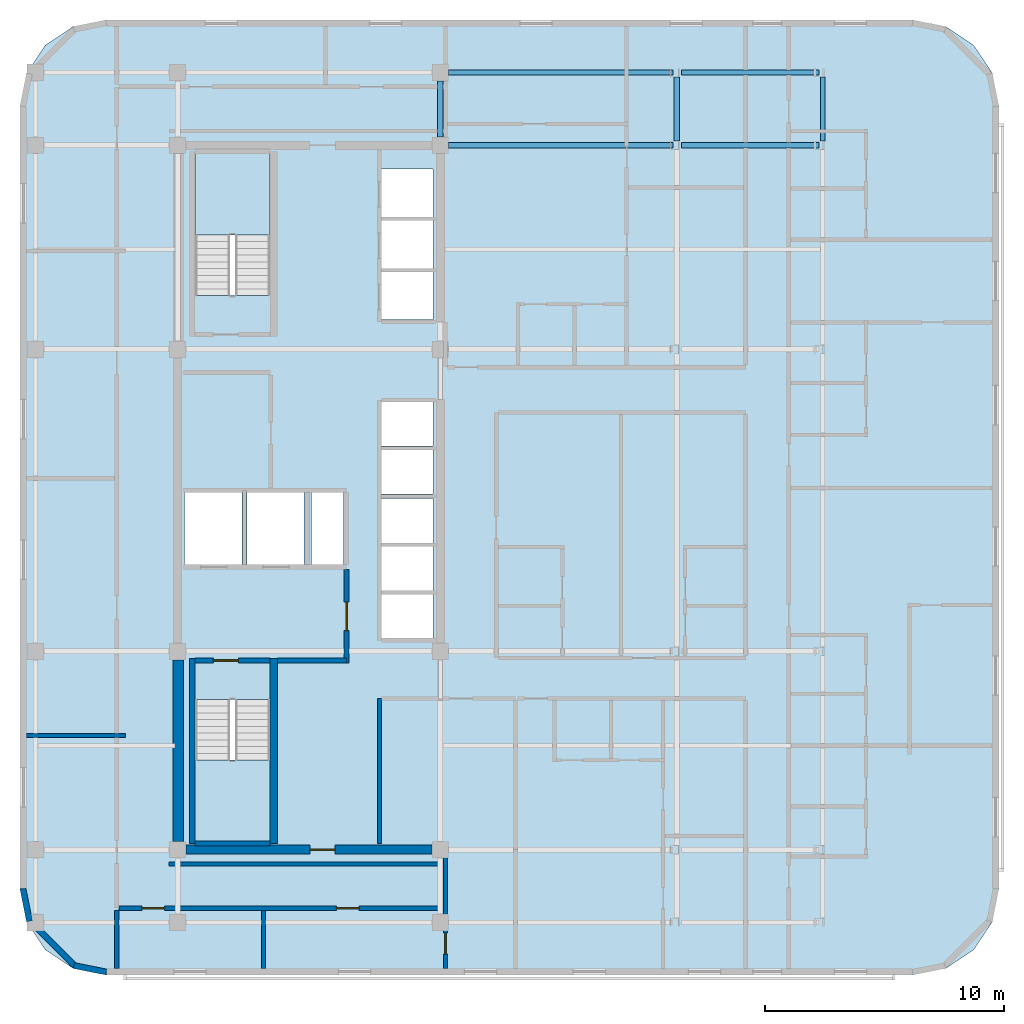
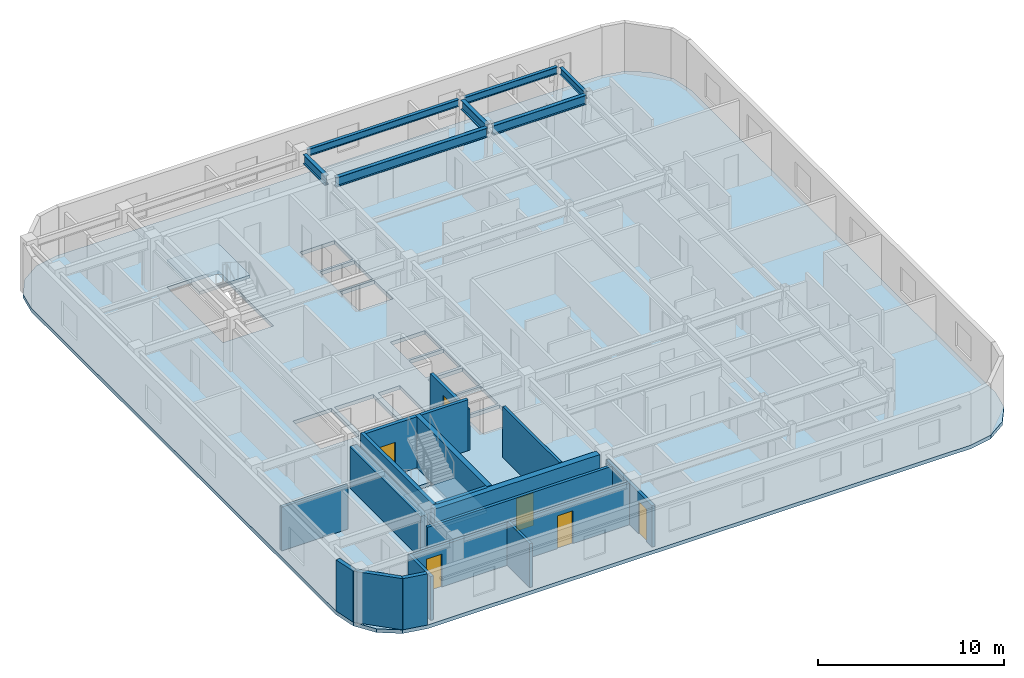
# One storey, part 2 of 10: 18 walls, 7 beams, 6 doors, 3 slabs, 6 openings, 2 elements without a shape of their own.
"""IFC4 building model written with IfcOpenShell, lengths in metres."""

from ifc_helpers import new_model, si_unit, direction, frame, frame_2d, origin, origin_2d, place, context, subcontext, project, spatial, polyline, rectangle, i_section, outline, extrude, material, layer, layer_set, material_profile, profile_set, type_object, element, fill, aggregate, save


model = new_model("IFC4")

# Units and contexts
model_context = context("Model", 3, precision=1e-05, world=origin(), true_north=direction((0.0, 1.0)))
body_context = subcontext(model_context, "Body", "Model", "MODEL_VIEW")
ifc_project = project(units=[si_unit("LENGTHUNIT", "METRE"), si_unit("AREAUNIT", "SQUARE_METRE"), si_unit("VOLUMEUNIT", "CUBIC_METRE"), si_unit("PLANEANGLEUNIT", "RADIAN"), si_unit("MASSUNIT", "GRAM", prefix="KILO")], contexts=[model_context])

# Site, building, storey
site_placement = place(None, origin())
site = spatial("IfcSite", under=ifc_project, at=site_placement, CompositionType="ELEMENT")
building_placement = place(site_placement, origin())
building = spatial("IfcBuilding", under=site, at=building_placement, Name="Ochreholt Gables", CompositionType="ELEMENT")
storey_placement = place(building_placement, frame((0.0, 0.0, 144.60009765625)))
storey = spatial("IfcBuildingStorey", under=building, at=storey_placement, Name="L37", CompositionType="ELEMENT", Elevation=144.60009765625)

# Beams
ifc_material_1 = material(Name="Steel CSA G40.21 350W", Category="steel")
ifc_material_profile_1 = material_profile(ifc_material_1, i_section(OverallWidth=0.22900390625, OverallDepth=0.612060546875, WebThickness=0.011962890625, FlangeThickness=0.01953125, at=origin_2d()), Name="W610X125")
ifc_profile_set_1 = profile_set([ifc_material_profile_1], Name="Steel CSA G40.21 350W")
beam_type_1 = type_object("IfcBeamType", Name="BM-G-W610B", PredefinedType="BEAM", material=ifc_profile_set_1)
beam_1_placement = place(storey_placement, frame((35.549560546875, 38.75, 3.053955078125), z_axis=(1.0, 0.0, 0.0), x_axis=(0.0, 1.0, 0.0)))
element("IfcBeam", 1, at=beam_1_placement, inside=storey, type_object=beam_type_1, Name="L37 Beam TBG-L37-C2EM-Y5", PredefinedType="BEAM", context=body_context, shape_type="SweptSolid", body=[
    extrude(i_section(OverallWidth=0.22900390625, OverallDepth=0.612060546875, WebThickness=0.011962890625, FlangeThickness=0.01953125, at=origin_2d()), origin(), (0.0, 0.0, 1.0), 9.395751953125),
])
beam_2_placement = place(storey_placement, frame((45.300537109375, 38.75, 3.053955078125), z_axis=(1.0, 0.0, 0.0), x_axis=(0.0, 1.0, 0.0)))
element("IfcBeam", 2, at=beam_2_placement, inside=storey, type_object=beam_type_1, Name="L37 Beam TBG-L37-EMEE-Y5", PredefinedType="BEAM", context=body_context, shape_type="SweptSolid", body=[
    extrude(i_section(OverallWidth=0.22900390625, OverallDepth=0.612060546875, WebThickness=0.011962890625, FlangeThickness=0.01953125, at=origin_2d()), origin(), (0.0, 0.0, 1.0), 5.774169921875),
])
beam_3_placement = place(storey_placement, frame((35.199951171875, 39.099609375, 3.053955078125), z_axis=(0.0, 1.0, 0.0), x_axis=(-1.0, 0.0, 0.0)))
element("IfcBeam", 3, at=beam_3_placement, inside=storey, type_object=beam_type_1, Name="L37 Beam TBN-L37-C2-Y5Y6", PredefinedType="BEAM", context=body_context, shape_type="SweptSolid", body=[
    extrude(i_section(OverallWidth=0.22900390625, OverallDepth=0.612060546875, WebThickness=0.011962890625, FlangeThickness=0.01953125, at=origin_2d()), origin(), (0.0, 0.0, 1.0), 2.350830078125),
])
beam_4_placement = place(storey_placement, frame((45.105712890625, 38.927490234375, 3.053955078125), z_axis=(0.0, 1.0, 0.0), x_axis=(-1.0, 0.0, 0.0)))
element("IfcBeam", 4, at=beam_4_placement, inside=storey, type_object=beam_type_1, Name="L37 Beam TBN-L37-EM-Y5Y6", PredefinedType="BEAM", context=body_context, shape_type="SweptSolid", body=[
    extrude(i_section(OverallWidth=0.22900390625, OverallDepth=0.612060546875, WebThickness=0.011962890625, FlangeThickness=0.01953125, at=origin_2d()), origin(), (0.0, 0.0, 1.0), 2.69482421875),
])
ifc_material_profile_2 = material_profile(ifc_material_1, i_section(OverallWidth=0.19189453125, OverallDepth=0.462890625, WebThickness=0.010498046875, FlangeThickness=0.017578125, at=origin_2d()), Name="W460X89")
ifc_profile_set_2 = profile_set([ifc_material_profile_2], Name="Steel CSA G40.21 350W")
beam_type_2 = type_object("IfcBeamType", Name="BM-SP-W460A", PredefinedType="SPANDREL", material=ifc_profile_set_2)
beam_5_placement = place(storey_placement, frame((35.549560546875, 41.800048828125, 3.12841796875), z_axis=(1.0, 0.0, 0.0), x_axis=(0.0, 1.0, 0.0)))
element("IfcBeam", 5, at=beam_5_placement, inside=storey, type_object=beam_type_2, Name="L37 Beam TBG-L37-C2EM-Y6", PredefinedType="SPANDREL", context=body_context, shape_type="SweptSolid", body=[
    extrude(i_section(OverallWidth=0.19189453125, OverallDepth=0.462890625, WebThickness=0.010498046875, FlangeThickness=0.017578125, at=origin_2d()), origin(), (0.0, 0.0, 1.0), 9.395751953125),
])
beam_6_placement = place(storey_placement, frame((45.300537109375, 41.800048828125, 3.12841796875), z_axis=(1.0, 0.0, 0.0), x_axis=(0.0, 1.0, 0.0)))
element("IfcBeam", 6, at=beam_6_placement, inside=storey, type_object=beam_type_2, Name="L37 Beam TBG-L37-EMEE-Y6", PredefinedType="SPANDREL", context=body_context, shape_type="SweptSolid", body=[
    extrude(i_section(OverallWidth=0.19189453125, OverallDepth=0.462890625, WebThickness=0.010498046875, FlangeThickness=0.017578125, at=origin_2d()), origin(), (0.0, 0.0, 1.0), 5.774169921875),
])
beam_7_placement = place(storey_placement, frame((51.22412109375, 38.927490234375, 3.12841796875), z_axis=(0.0, 1.0, 0.0), x_axis=(-1.0, 0.0, 0.0)))
element("IfcBeam", 7, at=beam_7_placement, inside=storey, type_object=beam_type_2, Name="L37 Beam TBN-L37-EE-Y5Y6", PredefinedType="SPANDREL", context=body_context, shape_type="SweptSolid", body=[
    extrude(i_section(OverallWidth=0.19189453125, OverallDepth=0.462890625, WebThickness=0.010498046875, FlangeThickness=0.017578125, at=origin_2d()), origin(), (0.0, 0.0, 1.0), 2.69482421875),
])

# Stair, slab
ifc_material_2 = material(Name="Concrete 40 MPa", Category="concrete")
stair_type_1 = type_object("IfcStairType", Name="STAIR-CORE-ST-1", PredefinedType="HALF_TURN_STAIR", material=ifc_material_2)
stair_1_placement = place(storey_placement, origin())
stair_1 = element("IfcStair", 8, at=stair_1_placement, inside=storey, type_object=stair_type_1, Name="L37 Core Exit Stair 1", PredefinedType="HALF_TURN_STAIR")
ifc_layer_1 = layer(ifc_material_2, 0.199951171875, Name="Concrete 40 MPa")
ifc_layer_set_1 = layer_set([ifc_layer_1], Name="Concrete 40 MPa")
slab_type_1 = type_object("IfcSlabType", Name="LANDING-RC200", PredefinedType="LANDING", material=ifc_layer_set_1)
slab_1_placement = place(storey_placement, frame((0.0, 0.0, 1.599853515625)))
slab_1 = element("IfcSlab", 9, at=slab_1_placement, type_object=slab_type_1, Name="ST-1 landing 1", PredefinedType="LANDING", context=body_context, shape_type="SweptSolid", body=[
    extrude(outline(polyline([(24.919921875, 13.001953125), (24.919921875, 9.52001953125), (28.080078125, 9.52001953125), (28.080078125, 13.001953125), (24.919921875, 13.001953125)])), origin(), (0.0, 0.0, 1.0), 0.199951171875),
])
aggregate(stair_1, [slab_1])

stair_type_2 = type_object("IfcStairType", Name="STAIR-CORE-ST-2", PredefinedType="HALF_TURN_STAIR", material=ifc_material_2)
stair_2_placement = place(storey_placement, origin())
stair_2 = element("IfcStair", 10, at=stair_2_placement, inside=storey, type_object=stair_type_2, Name="L37 Core Exit Stair 2", PredefinedType="HALF_TURN_STAIR")
slab_2_placement = place(storey_placement, frame((0.0, 0.0, 1.599853515625)))
slab_2 = element("IfcSlab", 11, at=slab_2_placement, type_object=slab_type_1, Name="ST-2 landing 1", PredefinedType="LANDING", context=body_context, shape_type="SweptSolid", body=[
    extrude(outline(polyline([(28.080078125, 34.998046875), (28.080078125, 38.47998046875), (24.919921875, 38.47998046875), (24.919921875, 34.998046875), (28.080078125, 34.998046875)])), origin(), (0.0, 0.0, 1.0), 0.199951171875),
])
aggregate(stair_2, [slab_2])

# Slab
ifc_layer_2 = layer(ifc_material_2, 0.239990234375, Name="Concrete 40 MPa")
ifc_layer_set_2 = layer_set([ifc_layer_2], Name="Concrete 40 MPa")
slab_type_2 = type_object("IfcSlabType", Name="SLAB-TWR-240", PredefinedType="FLOOR", material=ifc_layer_set_2)
slab_3_placement = place(storey_placement, frame((0.0, 0.0, -0.239990234375)))
element("IfcSlab", 12, at=slab_3_placement, inside=storey, type_object=slab_type_2, Name="L37 Structural Floor Slab", PredefinedType="FLOOR", context=body_context, shape_type="SweptSolid", body=[
    extrude(outline(polyline([(17.60009765625, 7.60009765625), (17.8740234375, 6.222412109375), (18.654296875, 5.054443359375), (19.822265625, 4.27392578125), (21.199951171875, 4.0), (55.0, 4.0), (56.377685546875, 4.27392578125), (57.545654296875, 5.054443359375), (58.325927734375, 6.222412109375), (58.60009765625, 7.60009765625), (58.60009765625, 40.39990234375), (58.325927734375, 41.777587890625), (57.545654296875, 42.945556640625), (56.377685546875, 43.72607421875), (55.0, 44.0), (21.199951171875, 44.0), (19.822265625, 43.72607421875), (18.654296875, 42.945556640625), (17.8740234375, 41.777587890625), (17.60009765625, 40.39990234375), (17.60009765625, 7.60009765625)]), holes=[polyline([(24.919921875, 15.539306640625), (24.919921875, 9.52001953125), (28.080078125, 9.52001953125), (28.080078125, 15.539306640625), (24.919921875, 15.539306640625)]), polyline([(28.080078125, 32.460693359375), (28.080078125, 38.47998046875), (24.919921875, 38.47998046875), (24.919921875, 32.460693359375), (28.080078125, 32.460693359375)]), polyline([(24.5, 21.199951171875), (26.89990234375, 21.199951171875), (26.89990234375, 24.199951171875), (24.5, 24.199951171875), (24.5, 21.199951171875)]), polyline([(27.10009765625, 21.199951171875), (29.5, 21.199951171875), (29.5, 24.199951171875), (27.10009765625, 24.199951171875), (27.10009765625, 21.199951171875)]), polyline([(32.75, 18.10009765625), (34.89990234375, 18.10009765625), (34.89990234375, 19.949951171875), (32.75, 19.949951171875), (32.75, 18.10009765625)]), polyline([(32.75, 20.10009765625), (34.89990234375, 20.10009765625), (34.89990234375, 21.949951171875), (32.75, 21.949951171875), (32.75, 20.10009765625)]), polyline([(32.75, 22.10009765625), (34.89990234375, 22.10009765625), (34.89990234375, 23.949951171875), (32.75, 23.949951171875), (32.75, 22.10009765625)]), polyline([(32.75, 24.14990234375), (34.89990234375, 24.14990234375), (34.89990234375, 26.0), (32.75, 26.0), (32.75, 24.14990234375)]), polyline([(32.75, 26.14990234375), (34.89990234375, 26.14990234375), (34.89990234375, 28.0), (32.75, 28.0), (32.75, 26.14990234375)]), polyline([(32.75, 31.449951171875), (34.89990234375, 31.449951171875), (34.89990234375, 33.449951171875), (32.75, 33.449951171875), (32.75, 31.449951171875)]), polyline([(32.75, 33.60009765625), (34.89990234375, 33.60009765625), (34.89990234375, 35.60009765625), (32.75, 35.60009765625), (32.75, 33.60009765625)]), polyline([(32.75, 35.75), (34.89990234375, 35.75), (34.89990234375, 37.75), (32.75, 37.75), (32.75, 35.75)]), polyline([(29.800048828125, 21.199951171875), (31.14990234375, 21.199951171875), (31.14990234375, 24.199951171875), (29.800048828125, 24.199951171875), (29.800048828125, 21.199951171875)])]), origin(), (0.0, 0.0, 1.0), 0.239990234375),
])

# Wall, opening, door
ifc_material_3 = material(Name="Concrete 50 MPa", Category="concrete")
ifc_layer_3 = layer(ifc_material_3, 0.3798828125, Name="Concrete 50 MPa")
ifc_layer_set_3 = layer_set([ifc_layer_3], Name="Concrete 50 MPa")
wall_type_1 = type_object("IfcWallType", Name="WALL-CSW-380", PredefinedType="SHEAR", material=ifc_layer_set_3)
wall_1_placement = place(storey_placement, frame((24.550048828125, 9.25, 0.0), z_axis=(0.0, 0.0, 1.0), x_axis=(1.0, 0.0, 0.0)))
wall_1 = element("IfcWall", 13, at=wall_1_placement, inside=storey, type_object=wall_type_1, Name="L37 Core South Shear Wall", PredefinedType="SHEAR", context=body_context, shape_type="SweptSolid", body=[
    extrude(rectangle(XDim=10.300048828125, YDim=0.3798828125, at=frame_2d((5.14990234375, 0.0))), origin(), (0.0, 0.0, 1.0), 3.35986328125),
])
opening_1_placement = place(wall_1_placement, frame((5.199951171875, 0.0, 0.0)))
opening_1 = element("IfcOpeningElement", 14, at=opening_1_placement, cuts=wall_1, Name="Opening D-FLB", PredefinedType="OPENING", context=body_context, shape_type="SweptSolid", body=[
    extrude(rectangle(XDim=1.050048828125, YDim=2.14990234375, at=frame_2d((0.52490234375, 1.074951171875))), frame((0.0, 0.199951171875, 0.0), z_axis=(0.0, -1.0, 0.0), x_axis=(1.0, 0.0, 0.0)), (0.0, 0.0, 1.0), 0.39990234375),
])
ifc_material_4 = material(Name="Hollow Metal Steel", Category="steel")
door_type_1 = type_object("IfcDoorType", Name="DR-INT-FLB1050", OperationType="NOTDEFINED", PredefinedType="DOOR", material=ifc_material_4)
door_1_placement = place(opening_1_placement, origin())
door_1 = element("IfcDoor", 15, at=door_1_placement, inside=storey, type_object=door_type_1, Name="L37 Door D-C2CRS-L37", OperationType="SINGLE_SWING_LEFT", OverallHeight=2.14990234375, OverallWidth=1.050048828125, PredefinedType="DOOR", context=body_context, shape_type="SweptSolid", body=[
    extrude(rectangle(XDim=1.050048828125, YDim=2.14990234375, at=frame_2d((0.52490234375, 1.074951171875))), frame((0.0, 0.02490234375, 0.0), z_axis=(0.0, -1.0, 0.0), x_axis=(1.0, 0.0, 0.0)), (0.0, 0.0, 1.0), 0.050048828125),
])
fill(opening_1, door_1)

# Walls
ifc_material_5 = material(Name="Concrete 60 MPa", Category="concrete")
ifc_layer_4 = layer(ifc_material_5, 0.449951171875, Name="Concrete 60 MPa")
ifc_layer_set_4 = layer_set([ifc_layer_4], Name="Concrete 60 MPa")
wall_type_2 = type_object("IfcWallType", Name="WALL-CSW-450", PredefinedType="SHEAR", material=ifc_layer_set_4)
wall_2_placement = place(storey_placement, frame((24.22509765625, 9.60009765625, 0.0), z_axis=(0.0, 0.0, 1.0), x_axis=(0.0, 1.0, 0.0)))
element("IfcWall", 16, at=wall_2_placement, inside=storey, type_object=wall_type_2, Name="L37 Core West Shear Wall WS", PredefinedType="SHEAR", context=body_context, shape_type="SweptSolid", body=[
    extrude(rectangle(XDim=7.599853515625, YDim=0.449951171875, at=frame_2d((3.7998046875, 0.0))), origin(), (0.0, 0.0, 1.0), 2.747802734375),
])
ifc_material_6 = material(Name="Precast concrete 40 MPa", Category="concrete")
ifc_layer_5 = layer(ifc_material_6, 0.25, Name="Precast concrete 40 MPa")
ifc_layer_set_5 = layer_set([ifc_layer_5], Name="Precast concrete 40 MPa")
wall_type_3 = type_object("IfcWallType", Name="WALL-EXT-CNR", PredefinedType="SOLIDWALL", material=ifc_layer_set_5)
wall_3_placement = place(storey_placement, frame((17.72412109375, 7.616455078125, 0.0), z_axis=(0.0, 0.0, 1.0), x_axis=(0.195135625965, -0.9807762678, 0.0)))
element("IfcWall", 17, at=wall_3_placement, inside=storey, type_object=wall_type_3, Name="L37 Rounded Corner Wall SW-1", PredefinedType="SOLIDWALL", context=body_context, shape_type="SweptSolid", body=[
    extrude(rectangle(XDim=1.388671875, YDim=0.25, at=frame_2d((0.6943359375, 0.0))), origin(), (0.0, 0.0, 1.0), 3.35986328125),
])
wall_4_placement = place(storey_placement, frame((17.968017578125, 6.304931640625, 0.0), z_axis=(0.0, 0.0, 1.0), x_axis=(0.707106781187, -0.707106781187, 0.0)))
element("IfcWall", 18, at=wall_4_placement, inside=storey, type_object=wall_type_3, Name="L37 Rounded Corner Wall SW-2", PredefinedType="SOLIDWALL", context=body_context, shape_type="SweptSolid", body=[
    extrude(rectangle(XDim=2.7392578125, YDim=0.25, at=frame_2d((1.36962890625, 0.0))), origin(), (0.0, 0.0, 1.0), 3.35986328125),
])
wall_5_placement = place(storey_placement, frame((19.8544921875, 4.39501953125, 0.0), z_axis=(0.0, 0.0, 1.0), x_axis=(0.980809899341, -0.19496651342, 0.0)))
element("IfcWall", 19, at=wall_5_placement, inside=storey, type_object=wall_type_3, Name="L37 Rounded Corner Wall SW-3", PredefinedType="SOLIDWALL", context=body_context, shape_type="SweptSolid", body=[
    extrude(rectangle(XDim=1.388671875, YDim=0.25, at=frame_2d((0.6943359375, 0.0))), origin(), (0.0, 0.0, 1.0), 3.35986328125),
])
ifc_layer_6 = layer(ifc_material_2, 0.199951171875, Name="Concrete 40 MPa")
ifc_layer_set_6 = layer_set([ifc_layer_6], Name="Concrete 40 MPa")
wall_type_4 = type_object("IfcWallType", Name="WALL-INT-CF200", PredefinedType="STANDARD", material=ifc_layer_set_6)
wall_6_placement = place(storey_placement, frame((28.3798828125, 17.169921875, 0.0), z_axis=(0.0, 0.0, 1.0), x_axis=(1.0, 0.0, 0.0)))
element("IfcWall", 20, at=wall_6_placement, inside=storey, type_object=wall_type_4, Name="L37 Interior Wall WI-FFS-L37", PredefinedType="STANDARD", context=body_context, shape_type="SweptSolid", body=[
    extrude(rectangle(XDim=2.900146484375, YDim=0.199951171875, at=frame_2d((1.4501953125, 0.0))), origin(), (0.0, 0.0, 1.0), 3.35986328125),
])

# Wall, opening, door
wall_7_placement = place(storey_placement, frame((31.280029296875, 17.070068359375, 0.0), z_axis=(0.0, 0.0, 1.0), x_axis=(0.0, 1.0, 0.0)))
wall_7 = element("IfcWall", 21, at=wall_7_placement, inside=storey, type_object=wall_type_4, Name="L37 Interior Wall WI-FFE-L37", PredefinedType="STANDARD", context=body_context, shape_type="SweptSolid", body=[
    extrude(rectangle(XDim=3.919921875, YDim=0.199951171875, at=frame_2d((1.9599609375, 0.0))), origin(), (0.0, 0.0, 1.0), 2.72998046875),
])
opening_2_placement = place(wall_7_placement, frame((1.35009765625, 0.0, 0.0)))
opening_2 = element("IfcOpeningElement", 22, at=opening_2_placement, cuts=wall_7, Name="Opening D-FFL", PredefinedType="OPENING", context=body_context, shape_type="SweptSolid", body=[
    extrude(rectangle(XDim=1.199951171875, YDim=2.14990234375, at=frame_2d((0.60009765625, 1.074951171875))), frame((0.0, 0.10986328125, 0.0), z_axis=(0.0, -1.0, 0.0), x_axis=(1.0, 0.0, 0.0)), (0.0, 0.0, 1.0), 0.219970703125),
])
door_type_2 = type_object("IfcDoorType", Name="DR-INT-FFL1200", OperationType="NOTDEFINED", PredefinedType="DOOR", material=ifc_material_4)
door_2_placement = place(opening_2_placement, origin())
door_2 = element("IfcDoor", 23, at=door_2_placement, inside=storey, type_object=door_type_2, Name="L37 Door D-FFL-L37", OperationType="SINGLE_SWING_LEFT", OverallHeight=2.14990234375, OverallWidth=1.199951171875, PredefinedType="DOOR", context=body_context, shape_type="SweptSolid", body=[
    extrude(rectangle(XDim=1.199951171875, YDim=2.14990234375, at=frame_2d((0.60009765625, 1.074951171875))), frame((0.0, 0.02490234375, 0.0), z_axis=(0.0, -1.0, 0.0), x_axis=(1.0, 0.0, 0.0)), (0.0, 0.0, 1.0), 0.050048828125),
])
fill(opening_2, door_2)

# Wall, openings, doors
ifc_material_7 = material(Name="Fire-Rated Gypsum Acoustic Partition", Category="gypsum")
ifc_layer_7 = layer(ifc_material_7, 0.179931640625, Name="Fire-Rated Gypsum Acoustic Partition")
ifc_layer_set_7 = layer_set([ifc_layer_7], Name="Fire-Rated Gypsum Acoustic Partition")
wall_type_5 = type_object("IfcWallType", Name="WALL-INT-CR180", PredefinedType="STANDARD", material=ifc_layer_set_7)
wall_8_placement = place(storey_placement, frame((21.739990234375, 6.800048828125, 0.0), z_axis=(0.0, 0.0, 1.0), x_axis=(1.0, 0.0, 0.0)))
wall_8 = element("IfcWall", 24, at=wall_8_placement, inside=storey, type_object=wall_type_5, Name="L37 Interior Wall WI-C2WCS-L37", PredefinedType="STANDARD", context=body_context, shape_type="SweptSolid", body=[
    extrude(rectangle(XDim=13.679931640625, YDim=0.179931640625, at=frame_2d((6.83984375, 0.0))), origin(), (0.0, 0.0, 1.0), 2.72998046875),
])
opening_3_placement = place(wall_8_placement, frame((0.969970703125, 0.0, 0.0)))
opening_3 = element("IfcOpeningElement", 25, at=opening_3_placement, cuts=wall_8, Name="Opening D-GN1", PredefinedType="OPENING", context=body_context, shape_type="SweptSolid", body=[
    extrude(rectangle(XDim=0.949951171875, YDim=2.14990234375, at=frame_2d((0.47509765625, 1.074951171875))), frame((0.0, 0.099853515625, 0.0), z_axis=(0.0, -1.0, 0.0), x_axis=(1.0, 0.0, 0.0)), (0.0, 0.0, 1.0), 0.199951171875),
])
opening_4_placement = place(wall_8_placement, frame((9.110107421875, 0.0, 0.0)))
opening_4 = element("IfcOpeningElement", 26, at=opening_4_placement, cuts=wall_8, Name="Opening D-GN1", PredefinedType="OPENING", context=body_context, shape_type="SweptSolid", body=[
    extrude(rectangle(XDim=0.949951171875, YDim=2.14990234375, at=frame_2d((0.47509765625, 1.074951171875))), frame((0.0, 0.099853515625, 0.0), z_axis=(0.0, -1.0, 0.0), x_axis=(1.0, 0.0, 0.0)), (0.0, 0.0, 1.0), 0.199951171875),
])
ifc_material_8 = material(Name="Engineered Oak Timber", Category="wood")
door_type_3 = type_object("IfcDoorType", Name="DR-INT-GEN950", OperationType="NOTDEFINED", PredefinedType="DOOR", material=ifc_material_8)
door_3_placement = place(opening_3_placement, origin())
door_3 = element("IfcDoor", 27, at=door_3_placement, inside=storey, type_object=door_type_3, Name="L37 Door D-C2STL1-L37", OperationType="SINGLE_SWING_LEFT", OverallHeight=2.14990234375, OverallWidth=0.949951171875, PredefinedType="DOOR", context=body_context, shape_type="SweptSolid", body=[
    extrude(rectangle(XDim=0.949951171875, YDim=2.14990234375, at=frame_2d((0.47509765625, 1.074951171875))), frame((0.0, 0.02490234375, 0.0), z_axis=(0.0, -1.0, 0.0), x_axis=(1.0, 0.0, 0.0)), (0.0, 0.0, 1.0), 0.050048828125),
])
fill(opening_3, door_3)
door_4_placement = place(opening_4_placement, origin())
door_4 = element("IfcDoor", 28, at=door_4_placement, inside=storey, type_object=door_type_3, Name="L37 Door D-C2STL2-L37", OperationType="SINGLE_SWING_RIGHT", OverallHeight=2.14990234375, OverallWidth=0.949951171875, PredefinedType="DOOR", context=body_context, shape_type="SweptSolid", body=[
    extrude(rectangle(XDim=0.949951171875, YDim=2.14990234375, at=frame_2d((0.47509765625, 1.074951171875))), frame((0.0, 0.02490234375, 0.0), z_axis=(0.0, -1.0, 0.0), x_axis=(1.0, 0.0, 0.0)), (0.0, 0.0, 1.0), 0.050048828125),
])
fill(opening_4, door_4)

# Walls
wall_9_placement = place(storey_placement, frame((23.85009765625, 8.64990234375, 0.0), z_axis=(0.0, 0.0, 1.0), x_axis=(1.0, 0.0, 0.0)))
element("IfcWall", 29, at=wall_9_placement, inside=storey, type_object=wall_type_5, Name="L37 Interior Wall WI-C2WCS2-L37", PredefinedType="STANDARD", context=body_context, shape_type="SweptSolid", body=[
    extrude(rectangle(XDim=11.56982421875, YDim=0.179931640625, at=frame_2d((5.784912109375, 0.0))), origin(), (0.0, 0.0, 1.0), 2.72998046875),
])
ifc_material_9 = material(Name="Double-Stud Acoustic Demising Wall", Category="gypsum")
ifc_layer_8 = layer(ifc_material_9, 0.179931640625, Name="Double-Stud Acoustic Demising Wall")
ifc_layer_set_8 = layer_set([ifc_layer_8], Name="Double-Stud Acoustic Demising Wall")
wall_type_6 = type_object("IfcWallType", Name="WALL-INT-DM180", PredefinedType="PARTITIONING", material=ifc_layer_set_8)
wall_10_placement = place(storey_placement, frame((21.64990234375, 4.280029296875, 0.0), z_axis=(0.0, 0.0, 1.0), x_axis=(0.0, 1.0, 0.0)))
element("IfcWall", 30, at=wall_10_placement, inside=storey, type_object=wall_type_6, Name="L37 Interior Wall WI-C2WWS-L37", PredefinedType="PARTITIONING", context=body_context, shape_type="SweptSolid", body=[
    extrude(rectangle(XDim=2.429931640625, YDim=0.179931640625, at=frame_2d((1.21484375, 0.0))), origin(), (0.0, 0.0, 1.0), 2.87890625),
])

# Wall, opening, door
wall_11_placement = place(storey_placement, frame((35.419921875, 4.280029296875, 0.0), z_axis=(0.0, 0.0, 1.0), x_axis=(0.0, 1.0, 0.0)))
wall_11 = element("IfcWall", 31, at=wall_11_placement, inside=storey, type_object=wall_type_6, Name="L37 Interior Wall WI-C2SES-L37", PredefinedType="PARTITIONING", context=body_context, shape_type="SweptSolid", body=[
    extrude(rectangle(XDim=4.969970703125, YDim=0.179931640625, at=frame_2d((2.48486328125, 0.0))), origin(), (0.0, 0.0, 1.0), 2.72998046875),
])
opening_5_placement = place(wall_11_placement, frame((0.590087890625, 0.0, 0.0)))
opening_5 = element("IfcOpeningElement", 32, at=opening_5_placement, cuts=wall_11, Name="Opening D-GN2", PredefinedType="OPENING", context=body_context, shape_type="SweptSolid", body=[
    extrude(rectangle(XDim=0.8798828125, YDim=2.1201171875, at=frame_2d((0.43994140625, 1.06005859375))), frame((0.0, 0.099853515625, 0.0), z_axis=(0.0, -1.0, 0.0), x_axis=(1.0, 0.0, 0.0)), (0.0, 0.0, 1.0), 0.199951171875),
])
door_type_4 = type_object("IfcDoorType", Name="DR-INT-GEN880", OperationType="NOTDEFINED", PredefinedType="DOOR", material=ifc_material_8)
door_5_placement = place(opening_5_placement, origin())
door_5 = element("IfcDoor", 33, at=door_5_placement, inside=storey, type_object=door_type_4, Name="L37 Door D-C2SPS-L37", OperationType="SINGLE_SWING_LEFT", OverallHeight=2.1201171875, OverallWidth=0.8798828125, PredefinedType="DOOR", context=body_context, shape_type="SweptSolid", body=[
    extrude(rectangle(XDim=0.8798828125, YDim=2.1201171875, at=frame_2d((0.43994140625, 1.06005859375))), frame((0.0, 0.02490234375, 0.0), z_axis=(0.0, -1.0, 0.0), x_axis=(1.0, 0.0, 0.0)), (0.0, 0.0, 1.0), 0.050048828125),
])
fill(opening_5, door_5)

# Walls
ifc_material_10 = material(Name="Gypsum Acoustic Stud Partition", Category="gypsum")
ifc_layer_9 = layer(ifc_material_10, 0.1650390625, Name="Gypsum Acoustic Stud Partition")
ifc_layer_set_9 = layer_set([ifc_layer_9], Name="Gypsum Acoustic Stud Partition")
wall_type_7 = type_object("IfcWallType", Name="WALL-INT-PT165", PredefinedType="PARTITIONING", material=ifc_layer_set_9)
wall_12_placement = place(storey_placement, frame((32.64990234375, 9.5, 0.0), z_axis=(0.0, 0.0, 1.0), x_axis=(0.0, 1.0, 0.0)))
element("IfcWall", 34, at=wall_12_placement, inside=storey, type_object=wall_type_7, Name="L37 Interior Wall WI-RCL-W-L37", PredefinedType="PARTITIONING", context=body_context, shape_type="SweptSolid", body=[
    extrude(rectangle(XDim=6.080078125, YDim=0.1650390625, at=frame_2d((3.0400390625, 0.0))), origin(), (0.0, 0.0, 1.0), 3.35986328125),
])
wall_13_placement = place(storey_placement, frame((17.8798828125, 14.02490234375, 0.0), z_axis=(0.0, 0.0, 1.0), x_axis=(1.0, 0.0, 0.0)))
element("IfcWall", 35, at=wall_13_placement, inside=storey, type_object=wall_type_7, Name="L37 Interior Wall WU-L37W1-SDV", PredefinedType="PARTITIONING", context=body_context, shape_type="SweptSolid", body=[
    extrude(rectangle(XDim=4.130126953125, YDim=0.1650390625, at=frame_2d((2.06494140625, 0.0))), origin(), (0.0, 0.0, 1.0), 2.87890625),
])
wall_14_placement = place(storey_placement, frame((27.800048828125, 4.280029296875, 0.0), z_axis=(0.0, 0.0, 1.0), x_axis=(0.0, 1.0, 0.0)))
element("IfcWall", 36, at=wall_14_placement, inside=storey, type_object=wall_type_7, Name="L37 Interior Wall WI-C2PKS-L37", PredefinedType="PARTITIONING", context=body_context, shape_type="SweptSolid", body=[
    extrude(rectangle(XDim=2.429931640625, YDim=0.1650390625, at=frame_2d((1.21484375, 0.0))), origin(), (0.0, 0.0, 1.0), 2.87890625),
])
ifc_layer_10 = layer(ifc_material_5, 0.300048828125, Name="Concrete 60 MPa")
ifc_layer_set_10 = layer_set([ifc_layer_10], Name="Concrete 60 MPa")
wall_type_8 = type_object("IfcWallType", Name="WALL-SPN-300", PredefinedType="SHEAR", material=ifc_layer_set_10)
wall_15_placement = place(storey_placement, frame((28.22998046875, 9.5, 0.0), z_axis=(0.0, 0.0, 1.0), x_axis=(0.0, 1.0, 0.0)))
element("IfcWall", 37, at=wall_15_placement, inside=storey, type_object=wall_type_8, Name="L37 Core South Spine Shear Wall", PredefinedType="SHEAR", context=body_context, shape_type="SweptSolid", body=[
    extrude(rectangle(XDim=7.760009765625, YDim=0.300048828125, at=frame_2d((3.8798828125, 0.0))), origin(), (0.0, 0.0, 1.0), 3.35986328125),
])
ifc_layer_11 = layer(ifc_material_3, 0.219970703125, Name="Concrete 50 MPa")
ifc_layer_set_11 = layer_set([ifc_layer_11], Name="Concrete 50 MPa")
wall_type_9 = type_object("IfcWallType", Name="WALL-STW-220", PredefinedType="SHEAR", material=ifc_layer_set_11)
wall_16_placement = place(storey_placement, frame((24.81005859375, 9.5, 0.0), z_axis=(0.0, 0.0, 1.0), x_axis=(0.0, 1.0, 0.0)))
element("IfcWall", 38, at=wall_16_placement, inside=storey, type_object=wall_type_9, Name="L37 Exit Stair 1 West Wall", PredefinedType="SHEAR", context=body_context, shape_type="SweptSolid", body=[
    extrude(rectangle(XDim=7.760009765625, YDim=0.219970703125, at=frame_2d((3.8798828125, 0.0))), origin(), (0.0, 0.0, 1.0), 3.35986328125),
])
wall_17_placement = place(storey_placement, frame((24.919921875, 9.510009765625, 0.0), z_axis=(0.0, 0.0, 1.0), x_axis=(1.0, 0.0, 0.0)))
element("IfcWall", 39, at=wall_17_placement, inside=storey, type_object=wall_type_9, Name="L37 Exit Stair 1 South Wall", PredefinedType="SHEAR", context=body_context, shape_type="SweptSolid", body=[
    extrude(rectangle(XDim=3.16015625, YDim=0.219970703125, at=frame_2d((1.580078125, 0.0))), origin(), (0.0, 0.0, 1.0), 3.35986328125),
])

# Wall, opening, door
wall_18_placement = place(storey_placement, frame((24.919921875, 17.169921875, 0.0), z_axis=(0.0, 0.0, 1.0), x_axis=(1.0, 0.0, 0.0)))
wall_18 = element("IfcWall", 40, at=wall_18_placement, inside=storey, type_object=wall_type_9, Name="L37 Exit Stair 1 North Wall", PredefinedType="SHEAR", context=body_context, shape_type="SweptSolid", body=[
    extrude(rectangle(XDim=3.16015625, YDim=0.219970703125, at=frame_2d((1.580078125, 0.0))), origin(), (0.0, 0.0, 1.0), 3.35986328125),
])
opening_6_placement = place(wall_18_placement, frame((0.780029296875, 0.0, 0.0)))
opening_6 = element("IfcOpeningElement", 41, at=opening_6_placement, cuts=wall_18, Name="Opening D-STC", PredefinedType="OPENING", context=body_context, shape_type="SweptSolid", body=[
    extrude(rectangle(XDim=1.050048828125, YDim=2.14990234375, at=frame_2d((0.52490234375, 1.074951171875))), frame((0.0, 0.119873046875, 0.0), z_axis=(0.0, -1.0, 0.0), x_axis=(1.0, 0.0, 0.0)), (0.0, 0.0, 1.0), 0.239990234375),
])
door_type_5 = type_object("IfcDoorType", Name="DR-INT-ST1050", OperationType="NOTDEFINED", PredefinedType="DOOR", material=ifc_material_4)
door_6_placement = place(opening_6_placement, frame((1.050048828125, 0.0, 0.0), z_axis=(0.0, 0.0, 1.0), x_axis=(-1.0, 0.0, 0.0)))
door_6 = element("IfcDoor", 42, at=door_6_placement, inside=storey, type_object=door_type_5, Name="L37 Door D-ST1-L37", OperationType="SINGLE_SWING_LEFT", OverallHeight=2.14990234375, OverallWidth=1.050048828125, PredefinedType="DOOR", context=body_context, shape_type="SweptSolid", body=[
    extrude(rectangle(XDim=1.050048828125, YDim=2.14990234375, at=frame_2d((0.52490234375, 1.074951171875))), frame((0.0, 0.02490234375, 0.0), z_axis=(0.0, -1.0, 0.0), x_axis=(1.0, 0.0, 0.0)), (0.0, 0.0, 1.0), 0.050048828125),
])
fill(opening_6, door_6)

save(model, "model.ifc")
